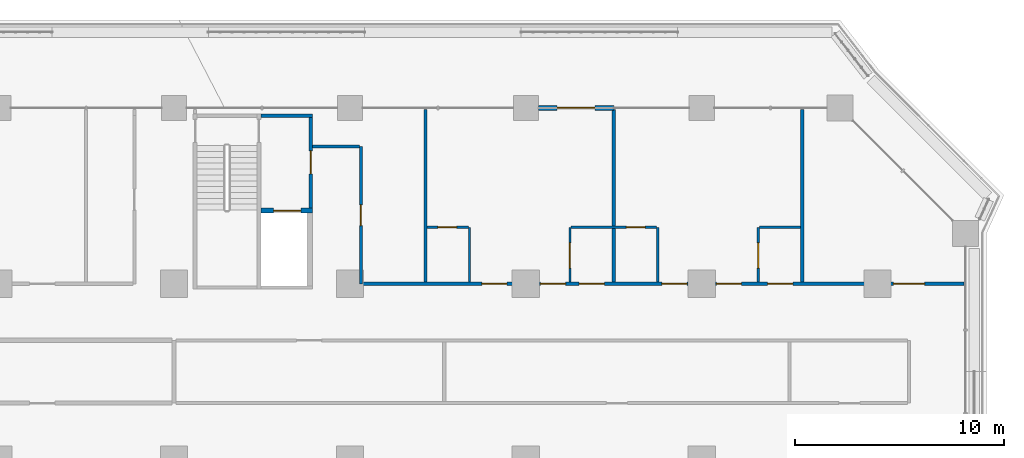
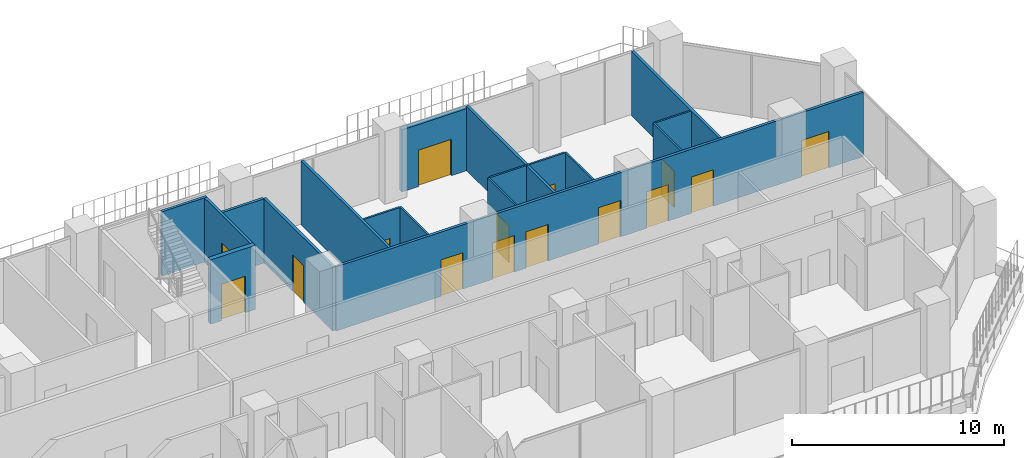
# One storey, part 19 of 28: 17 walls, 15 doors, 15 openings.
"""IFC4 building model written with IfcOpenShell, lengths in metres."""

from ifc_helpers import new_model, si_unit, direction, frame, frame_2d, origin, place, context, subcontext, project, spatial, rectangle, extrude, material, layer, layer_set, type_object, element, fill, save


model = new_model("IFC4")

# Units and contexts
model_context = context("Model", 3, precision=1e-05, world=origin(), true_north=direction((0.0, 1.0)))
body_context = subcontext(model_context, "Body", "Model", "MODEL_VIEW")
ifc_project = project(units=[si_unit("LENGTHUNIT", "METRE"), si_unit("AREAUNIT", "SQUARE_METRE"), si_unit("VOLUMEUNIT", "CUBIC_METRE"), si_unit("PLANEANGLEUNIT", "RADIAN"), si_unit("MASSUNIT", "GRAM", prefix="KILO")], contexts=[model_context])

# Site, building, storey
site_placement = place(None, origin())
site = spatial("IfcSite", under=ifc_project, at=site_placement, CompositionType="ELEMENT")
building_placement = place(site_placement, origin())
building = spatial("IfcBuilding", under=site, at=building_placement, Name="Kawkab Arch Medical Tower", CompositionType="ELEMENT")
storey_placement = place(building_placement, frame((0.0, 0.0, 89.60009765625)))
storey = spatial("IfcBuildingStorey", under=building, at=storey_placement, Name="L20", CompositionType="ELEMENT", Elevation=89.60009765625)

# Wall, opening, door
ifc_material_1 = material(Name="Gypsum board on steel studs", Category="steel")
ifc_layer_1 = layer(ifc_material_1, 0.14990234375)
ifc_layer_set_1 = layer_set([ifc_layer_1], Name="Gypsum board on steel studs")
wall_type_1 = type_object("IfcWallType", Name="Core room partition 150", PredefinedType="PARTITIONING", material=ifc_layer_set_1)
wall_1_placement = place(storey_placement, frame((48.52490234375, -4.77490234375, 0.0), z_axis=(0.0, 0.0, 1.0), x_axis=(0.0, 1.0, 0.0)))
wall_1 = element("IfcWall", 1, at=wall_1_placement, inside=storey, type_object=wall_type_1, Name="L20 core room partition", PredefinedType="PARTITIONING", context=body_context, shape_type="SweptSolid", body=[
    extrude(rectangle(XDim=4.324951171875, YDim=0.14990234375, at=frame_2d((2.16259765625, 0.0))), origin(), (0.0, 0.0, 1.0), 3.699951171875),
])
opening_1_placement = place(wall_1_placement, frame((1.625, 0.0, 0.0)))
opening_1 = element("IfcOpeningElement", 2, at=opening_1_placement, cuts=wall_1, Name="Opening FD", PredefinedType="OPENING", context=body_context, shape_type="SweptSolid", body=[
    extrude(rectangle(XDim=1.10009765625, YDim=2.10009765625, at=frame_2d((0.550048828125, 1.050048828125))), frame((0.0, 0.0849609375, 0.0), z_axis=(0.0, -1.0, 0.0), x_axis=(1.0, 0.0, 0.0)), (0.0, 0.0, 1.0), 0.169921875),
])
ifc_material_2 = material(Name="Hollow metal fire door leaf")
door_type_1 = type_object("IfcDoorType", Name="Firefighting lobby door 1100", OperationType="SINGLE_SWING_LEFT", PredefinedType="DOOR", material=ifc_material_2)
door_1_placement = place(opening_1_placement, origin())
door_1 = element("IfcDoor", 3, at=door_1_placement, inside=storey, type_object=door_type_1, Name="L20 Service lift lobby door SV1", OperationType="SINGLE_SWING_LEFT", OverallHeight=2.10009765625, OverallWidth=1.10009765625, PredefinedType="DOOR", context=body_context, shape_type="SweptSolid", body=[
    extrude(rectangle(XDim=1.10009765625, YDim=2.10009765625, at=frame_2d((0.550048828125, 1.050048828125))), frame((0.0, 0.02490234375, 0.0), z_axis=(0.0, -1.0, 0.0), x_axis=(1.0, 0.0, 0.0)), (0.0, 0.0, 1.0), 0.050048828125),
])
fill(opening_1, door_1)

ifc_material_3 = material(Name="Concrete C60/75", Category="concrete")
ifc_layer_2 = layer(ifc_material_3, 0.25)
ifc_layer_set_2 = layer_set([ifc_layer_2], Name="Concrete C60/75")
wall_type_2 = type_object("IfcWallType", Name="Core shear wall 250 C60/75", PredefinedType="SHEAR", material=ifc_layer_set_2)
wall_2_placement = place(storey_placement, frame((46.14990234375, -4.89990234375, 0.0), z_axis=(0.0, 0.0, 1.0), x_axis=(1.0, 0.0, 0.0)))
wall_2 = element("IfcWall", 4, at=wall_2_placement, inside=storey, type_object=wall_type_2, Name="L20 core shear wall", PredefinedType="SHEAR", context=body_context, shape_type="SweptSolid", body=[
    extrude(rectangle(XDim=2.4501953125, YDim=0.25, at=frame_2d((1.22509765625, 0.0))), origin(), (0.0, 0.0, 1.0), 3.699951171875),
])
opening_2_placement = place(wall_2_placement, frame((0.60009765625, 0.0, 0.0)))
opening_2 = element("IfcOpeningElement", 5, at=opening_2_placement, cuts=wall_2, Name="Opening LD2", PredefinedType="OPENING", context=body_context, shape_type="SweptSolid", body=[
    extrude(rectangle(XDim=1.300048828125, YDim=2.10009765625, at=frame_2d((0.64990234375, 1.050048828125))), frame((0.0, 0.135009765625, 0.0), z_axis=(0.0, -1.0, 0.0), x_axis=(1.0, 0.0, 0.0)), (0.0, 0.0, 1.0), 0.27001953125),
])
ifc_material_4 = material(Name="Stainless steel lift door leaf", Category="steel")
door_type_2 = type_object("IfcDoorType", Name="Lift landing door 1300", OperationType="DOUBLE_DOOR_SLIDING", PredefinedType="DOOR", material=ifc_material_4)
door_2_placement = place(opening_2_placement, origin())
door_2 = element("IfcDoor", 6, at=door_2_placement, inside=storey, type_object=door_type_2, Name="L20 Lift landing door SV1", OperationType="DOUBLE_DOOR_SLIDING", OverallHeight=2.10009765625, OverallWidth=1.300048828125, PredefinedType="DOOR", context=body_context, shape_type="SweptSolid", body=[
    extrude(rectangle(XDim=1.300048828125, YDim=2.10009765625, at=frame_2d((0.64990234375, 1.050048828125))), frame((0.0, 0.02490234375, 0.0), z_axis=(0.0, -1.0, 0.0), x_axis=(1.0, 0.0, 0.0)), (0.0, 0.0, 1.0), 0.050048828125),
])
fill(opening_2, door_2)

ifc_material_5 = material(Name="Bronze clad insulated wall panel")
ifc_layer_3 = layer(ifc_material_5, 0.25)
ifc_layer_set_3 = layer_set([ifc_layer_3], Name="Bronze clad insulated wall panel")
wall_type_3 = type_object("IfcWallType", Name="External wall bay 250", PredefinedType="SOLIDWALL", material=ifc_layer_set_3)
wall_3_placement = place(storey_placement, frame((63.0, 0.0, 0.0), z_axis=(0.0, 0.0, 1.0), x_axis=(-1.0, 0.0, 0.0)))
wall_3 = element("IfcWall", 7, at=wall_3_placement, inside=storey, type_object=wall_type_3, Name="External wall bay L20.R11.2.2", PredefinedType="SOLIDWALL", context=body_context, shape_type="SweptSolid", body=[
    extrude(rectangle(XDim=3.60009765625, YDim=0.25, at=frame_2d((1.800048828125, 0.0))), origin(), (0.0, 0.0, 1.0), 3.579833984375),
])
opening_3_placement = place(wall_3_placement, frame((0.89990234375, 0.0, 0.0)))
opening_3 = element("IfcOpeningElement", 8, at=opening_3_placement, cuts=wall_3, Name="Opening W13B-702", PredefinedType="OPENING", context=body_context, shape_type="SweptSolid", body=[
    extrude(rectangle(XDim=1.800048828125, YDim=2.10009765625, at=frame_2d((0.89990234375, 1.050048828125))), frame((0.0, 0.135009765625, 0.0), z_axis=(0.0, -1.0, 0.0), x_axis=(1.0, 0.0, 0.0)), (0.0, 0.0, 1.0), 0.27001953125),
])
ifc_material_6 = material(Name="Bronze anodised aluminium door with tinted glass", Category="aluminium")
door_type_3 = type_object("IfcDoorType", Name="Double external door 1800 x 2100", OperationType="DOUBLE_DOOR_SINGLE_SWING", PredefinedType="DOOR", material=ifc_material_6)
door_3_placement = place(opening_3_placement, origin())
door_3 = element("IfcDoor", 9, at=door_3_placement, inside=storey, type_object=door_type_3, Name="External door L20.R11.2.2", OperationType="DOUBLE_DOOR_SINGLE_SWING", OverallHeight=2.10009765625, OverallWidth=1.800048828125, PredefinedType="DOOR", context=body_context, shape_type="SweptSolid", body=[
    extrude(rectangle(XDim=1.800048828125, YDim=2.10009765625, at=frame_2d((0.89990234375, 1.050048828125))), frame((0.0, 0.02490234375, 0.0), z_axis=(0.0, -1.0, 0.0), x_axis=(1.0, 0.0, 0.0)), (0.0, 0.0, 1.0), 0.050048828125),
])
fill(opening_3, door_3)

ifc_material_7 = material(Name="Gypsum board partition on steel studs", Category="steel")
ifc_layer_4 = layer(ifc_material_7, 0.10009765625)
ifc_layer_set_4 = layer_set([ifc_layer_4], Name="Gypsum board partition on steel studs")
wall_type_4 = type_object("IfcWallType", Name="Partition 100", PredefinedType="PARTITIONING", material=ifc_layer_set_4)
wall_4_placement = place(storey_placement, frame((54.074951171875, -5.699951171875, 0.0), z_axis=(0.0, 0.0, 1.0), x_axis=(1.0, 0.0, 0.0)))
wall_4 = element("IfcWall", 10, at=wall_4_placement, inside=storey, type_object=wall_type_4, Name="Partition 100 w018", PredefinedType="PARTITIONING", context=body_context, shape_type="SweptSolid", body=[
    extrude(rectangle(XDim=1.97509765625, YDim=0.10009765625, at=frame_2d((0.987548828125, 0.0))), origin(), (0.0, 0.0, 1.0), 3.699951171875),
])
opening_4_placement = place(wall_4_placement, frame((0.52490234375, 0.0, 0.0)))
opening_4 = element("IfcOpeningElement", 11, at=opening_4_placement, cuts=wall_4, Name="Opening W13B-002", PredefinedType="OPENING", context=body_context, shape_type="SweptSolid", body=[
    extrude(rectangle(XDim=0.89990234375, YDim=2.10009765625, at=frame_2d((0.449951171875, 1.050048828125))), frame((0.0, 0.06005859375, 0.0), z_axis=(0.0, -1.0, 0.0), x_axis=(1.0, 0.0, 0.0)), (0.0, 0.0, 1.0), 0.1201171875),
])
ifc_material_8 = material(Name="Timber door leaf", Category="wood")
door_type_4 = type_object("IfcDoorType", Name="Single door 900x2100", OperationType="NOTDEFINED", PredefinedType="DOOR", material=ifc_material_8)
door_4_placement = place(opening_4_placement, origin())
door_4 = element("IfcDoor", 12, at=door_4_placement, inside=storey, type_object=door_type_4, Name="Door W13B-002", OperationType="SINGLE_SWING_RIGHT", OverallHeight=2.10009765625, OverallWidth=0.89990234375, PredefinedType="DOOR", context=body_context, shape_type="SweptSolid", body=[
    extrude(rectangle(XDim=0.89990234375, YDim=2.10009765625, at=frame_2d((0.449951171875, 1.050048828125))), frame((0.0, 0.02490234375, 0.0), z_axis=(0.0, -1.0, 0.0), x_axis=(1.0, 0.0, 0.0)), (0.0, 0.0, 1.0), 0.050048828125),
])
fill(opening_4, door_4)

wall_5_placement = place(storey_placement, frame((60.949951171875, -5.699951171875, 0.0), z_axis=(0.0, 0.0, 1.0), x_axis=(1.0, 0.0, 0.0)))
wall_5 = element("IfcWall", 13, at=wall_5_placement, inside=storey, type_object=wall_type_4, Name="Partition 100 w019", PredefinedType="PARTITIONING", context=body_context, shape_type="SweptSolid", body=[
    extrude(rectangle(XDim=4.10009765625, YDim=0.10009765625, at=frame_2d((2.050048828125, 0.0))), origin(), (0.0, 0.0, 1.0), 3.699951171875),
])
opening_5_placement = place(wall_5_placement, frame((2.64990234375, 0.0, 0.0)))
opening_5 = element("IfcOpeningElement", 14, at=opening_5_placement, cuts=wall_5, Name="Opening W13B-003", PredefinedType="OPENING", context=body_context, shape_type="SweptSolid", body=[
    extrude(rectangle(XDim=0.89990234375, YDim=2.10009765625, at=frame_2d((0.449951171875, 1.050048828125))), frame((0.0, 0.06005859375, 0.0), z_axis=(0.0, -1.0, 0.0), x_axis=(1.0, 0.0, 0.0)), (0.0, 0.0, 1.0), 0.1201171875),
])
door_5_placement = place(opening_5_placement, origin())
door_5 = element("IfcDoor", 15, at=door_5_placement, inside=storey, type_object=door_type_4, Name="Door W13B-003", OperationType="SINGLE_SWING_RIGHT", OverallHeight=2.10009765625, OverallWidth=0.89990234375, PredefinedType="DOOR", context=body_context, shape_type="SweptSolid", body=[
    extrude(rectangle(XDim=0.89990234375, YDim=2.10009765625, at=frame_2d((0.449951171875, 1.050048828125))), frame((0.0, 0.02490234375, 0.0), z_axis=(0.0, -1.0, 0.0), x_axis=(1.0, 0.0, 0.0)), (0.0, 0.0, 1.0), 0.050048828125),
])
fill(opening_5, door_5)

# Walls
wall_6_placement = place(storey_placement, frame((69.949951171875, -5.699951171875, 0.0), z_axis=(0.0, 0.0, 1.0), x_axis=(1.0, 0.0, 0.0)))
element("IfcWall", 16, at=wall_6_placement, inside=storey, type_object=wall_type_4, Name="Partition 100 w020", PredefinedType="PARTITIONING", context=body_context, shape_type="SweptSolid", body=[
    extrude(rectangle(XDim=1.97509765625, YDim=0.10009765625, at=frame_2d((0.987548828125, 0.0))), origin(), (0.0, 0.0, 1.0), 3.699951171875),
])
wall_7_placement = place(storey_placement, frame((56.10009765625, -8.324951171875, 0.0), z_axis=(0.0, 0.0, 1.0), x_axis=(0.0, 1.0, 0.0)))
element("IfcWall", 17, at=wall_7_placement, inside=storey, type_object=wall_type_4, Name="Partition 100 w034", PredefinedType="PARTITIONING", context=body_context, shape_type="SweptSolid", body=[
    extrude(rectangle(XDim=2.625, YDim=0.10009765625, at=frame_2d((1.3125, 0.0))), origin(), (0.0, 0.0, 1.0), 3.699951171875),
])

# Wall, opening, door
wall_8_placement = place(storey_placement, frame((60.89990234375, -8.324951171875, 0.0), z_axis=(0.0, 0.0, 1.0), x_axis=(0.0, 1.0, 0.0)))
wall_8 = element("IfcWall", 18, at=wall_8_placement, inside=storey, type_object=wall_type_4, Name="Partition 100 w037", PredefinedType="PARTITIONING", context=body_context, shape_type="SweptSolid", body=[
    extrude(rectangle(XDim=2.625, YDim=0.10009765625, at=frame_2d((1.3125, 0.0))), origin(), (0.0, 0.0, 1.0), 3.699951171875),
])
opening_6_placement = place(wall_8_placement, frame((0.675048828125, 0.0, 0.0)))
opening_6 = element("IfcOpeningElement", 19, at=opening_6_placement, cuts=wall_8, Name="Opening W13B-040", PredefinedType="OPENING", context=body_context, shape_type="SweptSolid", body=[
    extrude(rectangle(XDim=1.199951171875, YDim=2.10009765625, at=frame_2d((0.60009765625, 1.050048828125))), frame((0.0, 0.06005859375, 0.0), z_axis=(0.0, -1.0, 0.0), x_axis=(1.0, 0.0, 0.0)), (0.0, 0.0, 1.0), 0.1201171875),
])
ifc_material_9 = material(Name="Timber door leaf", Category="wood")
door_type_5 = type_object("IfcDoorType", Name="Single door 1200x2100", OperationType="NOTDEFINED", PredefinedType="DOOR", material=ifc_material_9)
door_6_placement = place(opening_6_placement, origin())
door_6 = element("IfcDoor", 20, at=door_6_placement, inside=storey, type_object=door_type_5, Name="Door W13B-040", OperationType="SINGLE_SWING_LEFT", OverallHeight=2.10009765625, OverallWidth=1.199951171875, PredefinedType="DOOR", context=body_context, shape_type="SweptSolid", body=[
    extrude(rectangle(XDim=1.199951171875, YDim=2.10009765625, at=frame_2d((0.60009765625, 1.050048828125))), frame((0.0, 0.02490234375, 0.0), z_axis=(0.0, -1.0, 0.0), x_axis=(1.0, 0.0, 0.0)), (0.0, 0.0, 1.0), 0.050048828125),
])
fill(opening_6, door_6)

# Wall
wall_9_placement = place(storey_placement, frame((65.10009765625, -8.324951171875, 0.0), z_axis=(0.0, 0.0, 1.0), x_axis=(0.0, 1.0, 0.0)))
element("IfcWall", 21, at=wall_9_placement, inside=storey, type_object=wall_type_4, Name="Partition 100 w039", PredefinedType="PARTITIONING", context=body_context, shape_type="SweptSolid", body=[
    extrude(rectangle(XDim=2.625, YDim=0.10009765625, at=frame_2d((1.3125, 0.0))), origin(), (0.0, 0.0, 1.0), 3.699951171875),
])

# Wall, opening, door
wall_10_placement = place(storey_placement, frame((69.89990234375, -8.324951171875, 0.0), z_axis=(0.0, 0.0, 1.0), x_axis=(0.0, 1.0, 0.0)))
wall_10 = element("IfcWall", 22, at=wall_10_placement, inside=storey, type_object=wall_type_4, Name="Partition 100 w041", PredefinedType="PARTITIONING", context=body_context, shape_type="SweptSolid", body=[
    extrude(rectangle(XDim=2.625, YDim=0.10009765625, at=frame_2d((1.3125, 0.0))), origin(), (0.0, 0.0, 1.0), 3.699951171875),
])
opening_7_placement = place(wall_10_placement, frame((0.675048828125, 0.0, 0.0)))
opening_7 = element("IfcOpeningElement", 23, at=opening_7_placement, cuts=wall_10, Name="Opening W13B-044", PredefinedType="OPENING", context=body_context, shape_type="SweptSolid", body=[
    extrude(rectangle(XDim=1.199951171875, YDim=2.10009765625, at=frame_2d((0.60009765625, 1.050048828125))), frame((0.0, 0.06005859375, 0.0), z_axis=(0.0, -1.0, 0.0), x_axis=(1.0, 0.0, 0.0)), (0.0, 0.0, 1.0), 0.1201171875),
])
door_7_placement = place(opening_7_placement, origin())
door_7 = element("IfcDoor", 24, at=door_7_placement, inside=storey, type_object=door_type_5, Name="Door W13B-044", OperationType="SINGLE_SWING_RIGHT", OverallHeight=2.10009765625, OverallWidth=1.199951171875, PredefinedType="DOOR", context=body_context, shape_type="SweptSolid", body=[
    extrude(rectangle(XDim=1.199951171875, YDim=2.10009765625, at=frame_2d((0.60009765625, 1.050048828125))), frame((0.0, 0.02490234375, 0.0), z_axis=(0.0, -1.0, 0.0), x_axis=(1.0, 0.0, 0.0)), (0.0, 0.0, 1.0), 0.050048828125),
])
fill(opening_7, door_7)

# Wall, openings, doors
ifc_material_10 = material(Name="Gypsum board partition on steel studs, mineral wool", Category="steel")
ifc_layer_5 = layer(ifc_material_10, 0.14990234375)
ifc_layer_set_5 = layer_set([ifc_layer_5], Name="Gypsum board partition on steel studs, mineral wool")
wall_type_5 = type_object("IfcWallType", Name="Partition 150", PredefinedType="PARTITIONING", material=ifc_layer_set_5)
wall_11_placement = place(storey_placement, frame((51.0, -8.39990234375, 0.0), z_axis=(0.0, 0.0, 1.0), x_axis=(1.0, 0.0, 0.0)))
wall_11 = element("IfcWall", 25, at=wall_11_placement, inside=storey, type_object=wall_type_5, Name="Partition 150 w078", PredefinedType="PARTITIONING", context=body_context, shape_type="SweptSolid", body=[
    extrude(rectangle(XDim=28.719970703125, YDim=0.14990234375, at=frame_2d((14.35986328125, 0.0))), origin(), (0.0, 0.0, 1.0), 3.699951171875),
])
opening_8_placement = place(wall_11_placement, frame((5.699951171875, 0.0, 0.0)))
opening_8 = element("IfcOpeningElement", 26, at=opening_8_placement, cuts=wall_11, Name="Opening W13B-037", PredefinedType="OPENING", context=body_context, shape_type="SweptSolid", body=[
    extrude(rectangle(XDim=1.199951171875, YDim=2.10009765625, at=frame_2d((0.60009765625, 1.050048828125))), frame((0.0, 0.0849609375, 0.0), z_axis=(0.0, -1.0, 0.0), x_axis=(1.0, 0.0, 0.0)), (0.0, 0.0, 1.0), 0.169921875),
])
opening_9_placement = place(wall_11_placement, frame((8.5, 0.0, 0.0)))
opening_9 = element("IfcOpeningElement", 27, at=opening_9_placement, cuts=wall_11, Name="Opening W13B-038", PredefinedType="OPENING", context=body_context, shape_type="SweptSolid", body=[
    extrude(rectangle(XDim=1.199951171875, YDim=2.10009765625, at=frame_2d((0.60009765625, 1.050048828125))), frame((0.0, 0.0849609375, 0.0), z_axis=(0.0, -1.0, 0.0), x_axis=(1.0, 0.0, 0.0)), (0.0, 0.0, 1.0), 0.169921875),
])
opening_10_placement = place(wall_11_placement, frame((10.35009765625, 0.0, 0.0)))
opening_10 = element("IfcOpeningElement", 28, at=opening_10_placement, cuts=wall_11, Name="Opening W13B-039", PredefinedType="OPENING", context=body_context, shape_type="SweptSolid", body=[
    extrude(rectangle(XDim=1.199951171875, YDim=2.10009765625, at=frame_2d((0.60009765625, 1.050048828125))), frame((0.0, 0.0849609375, 0.0), z_axis=(0.0, -1.0, 0.0), x_axis=(1.0, 0.0, 0.0)), (0.0, 0.0, 1.0), 0.169921875),
])
opening_11_placement = place(wall_11_placement, frame((14.300048828125, 0.0, 0.0)))
opening_11 = element("IfcOpeningElement", 29, at=opening_11_placement, cuts=wall_11, Name="Opening W13B-041", PredefinedType="OPENING", context=body_context, shape_type="SweptSolid", body=[
    extrude(rectangle(XDim=1.199951171875, YDim=2.10009765625, at=frame_2d((0.60009765625, 1.050048828125))), frame((0.0, 0.0849609375, 0.0), z_axis=(0.0, -1.0, 0.0), x_axis=(1.0, 0.0, 0.0)), (0.0, 0.0, 1.0), 0.169921875),
])
opening_12_placement = place(wall_11_placement, frame((16.89990234375, 0.0, 0.0)))
opening_12 = element("IfcOpeningElement", 30, at=opening_12_placement, cuts=wall_11, Name="Opening W13B-042", PredefinedType="OPENING", context=body_context, shape_type="SweptSolid", body=[
    extrude(rectangle(XDim=1.199951171875, YDim=2.10009765625, at=frame_2d((0.60009765625, 1.050048828125))), frame((0.0, 0.0849609375, 0.0), z_axis=(0.0, -1.0, 0.0), x_axis=(1.0, 0.0, 0.0)), (0.0, 0.0, 1.0), 0.169921875),
])
opening_13_placement = place(wall_11_placement, frame((19.35009765625, 0.0, 0.0)))
opening_13 = element("IfcOpeningElement", 31, at=opening_13_placement, cuts=wall_11, Name="Opening W13B-043", PredefinedType="OPENING", context=body_context, shape_type="SweptSolid", body=[
    extrude(rectangle(XDim=1.199951171875, YDim=2.10009765625, at=frame_2d((0.60009765625, 1.050048828125))), frame((0.0, 0.0849609375, 0.0), z_axis=(0.0, -1.0, 0.0), x_axis=(1.0, 0.0, 0.0)), (0.0, 0.0, 1.0), 0.169921875),
])
opening_14_placement = place(wall_11_placement, frame((25.35009765625, 0.0, 0.0)))
opening_14 = element("IfcOpeningElement", 32, at=opening_14_placement, cuts=wall_11, Name="Opening W13B-001", PredefinedType="OPENING", context=body_context, shape_type="SweptSolid", body=[
    extrude(rectangle(XDim=1.5, YDim=2.10009765625, at=frame_2d((0.75, 1.050048828125))), frame((0.0, 0.0849609375, 0.0), z_axis=(0.0, -1.0, 0.0), x_axis=(1.0, 0.0, 0.0)), (0.0, 0.0, 1.0), 0.169921875),
])
ifc_material_11 = material(Name="Hollow metal door leaf")
door_type_6 = type_object("IfcDoorType", Name="Double door 1500x2100 FD30S", OperationType="NOTDEFINED", PredefinedType="DOOR", material=ifc_material_11)
door_8_placement = place(opening_14_placement, origin())
door_8 = element("IfcDoor", 33, at=door_8_placement, inside=storey, type_object=door_type_6, Name="Door W13B-001", OperationType="DOUBLE_DOOR_SINGLE_SWING", OverallHeight=2.10009765625, OverallWidth=1.5, PredefinedType="DOOR", context=body_context, shape_type="SweptSolid", body=[
    extrude(rectangle(XDim=1.5, YDim=2.10009765625, at=frame_2d((0.75, 1.050048828125))), frame((0.0, 0.02490234375, 0.0), z_axis=(0.0, -1.0, 0.0), x_axis=(1.0, 0.0, 0.0)), (0.0, 0.0, 1.0), 0.050048828125),
])
fill(opening_14, door_8)
ifc_material_12 = material(Name="Hollow metal door leaf")
door_type_7 = type_object("IfcDoorType", Name="Single door 1200x2100 FD30S", OperationType="NOTDEFINED", PredefinedType="DOOR", material=ifc_material_12)
door_9_placement = place(opening_8_placement, origin())
door_9 = element("IfcDoor", 34, at=door_9_placement, inside=storey, type_object=door_type_7, Name="Door W13B-037", OperationType="SINGLE_SWING_LEFT", OverallHeight=2.10009765625, OverallWidth=1.199951171875, PredefinedType="DOOR", context=body_context, shape_type="SweptSolid", body=[
    extrude(rectangle(XDim=1.199951171875, YDim=2.10009765625, at=frame_2d((0.60009765625, 1.050048828125))), frame((0.0, 0.02490234375, 0.0), z_axis=(0.0, -1.0, 0.0), x_axis=(1.0, 0.0, 0.0)), (0.0, 0.0, 1.0), 0.050048828125),
])
fill(opening_8, door_9)
door_10_placement = place(opening_9_placement, origin())
door_10 = element("IfcDoor", 35, at=door_10_placement, inside=storey, type_object=door_type_7, Name="Door W13B-038", OperationType="SINGLE_SWING_LEFT", OverallHeight=2.10009765625, OverallWidth=1.199951171875, PredefinedType="DOOR", context=body_context, shape_type="SweptSolid", body=[
    extrude(rectangle(XDim=1.199951171875, YDim=2.10009765625, at=frame_2d((0.60009765625, 1.050048828125))), frame((0.0, 0.02490234375, 0.0), z_axis=(0.0, -1.0, 0.0), x_axis=(1.0, 0.0, 0.0)), (0.0, 0.0, 1.0), 0.050048828125),
])
fill(opening_9, door_10)
door_11_placement = place(opening_10_placement, origin())
door_11 = element("IfcDoor", 36, at=door_11_placement, inside=storey, type_object=door_type_7, Name="Door W13B-039", OperationType="SINGLE_SWING_LEFT", OverallHeight=2.10009765625, OverallWidth=1.199951171875, PredefinedType="DOOR", context=body_context, shape_type="SweptSolid", body=[
    extrude(rectangle(XDim=1.199951171875, YDim=2.10009765625, at=frame_2d((0.60009765625, 1.050048828125))), frame((0.0, 0.02490234375, 0.0), z_axis=(0.0, -1.0, 0.0), x_axis=(1.0, 0.0, 0.0)), (0.0, 0.0, 1.0), 0.050048828125),
])
fill(opening_10, door_11)
door_12_placement = place(opening_11_placement, origin())
door_12 = element("IfcDoor", 37, at=door_12_placement, inside=storey, type_object=door_type_7, Name="Door W13B-041", OperationType="SINGLE_SWING_RIGHT", OverallHeight=2.10009765625, OverallWidth=1.199951171875, PredefinedType="DOOR", context=body_context, shape_type="SweptSolid", body=[
    extrude(rectangle(XDim=1.199951171875, YDim=2.10009765625, at=frame_2d((0.60009765625, 1.050048828125))), frame((0.0, 0.02490234375, 0.0), z_axis=(0.0, -1.0, 0.0), x_axis=(1.0, 0.0, 0.0)), (0.0, 0.0, 1.0), 0.050048828125),
])
fill(opening_11, door_12)
door_13_placement = place(opening_12_placement, origin())
door_13 = element("IfcDoor", 38, at=door_13_placement, inside=storey, type_object=door_type_7, Name="Door W13B-042", OperationType="SINGLE_SWING_RIGHT", OverallHeight=2.10009765625, OverallWidth=1.199951171875, PredefinedType="DOOR", context=body_context, shape_type="SweptSolid", body=[
    extrude(rectangle(XDim=1.199951171875, YDim=2.10009765625, at=frame_2d((0.60009765625, 1.050048828125))), frame((0.0, 0.02490234375, 0.0), z_axis=(0.0, -1.0, 0.0), x_axis=(1.0, 0.0, 0.0)), (0.0, 0.0, 1.0), 0.050048828125),
])
fill(opening_12, door_13)
door_14_placement = place(opening_13_placement, origin())
door_14 = element("IfcDoor", 39, at=door_14_placement, inside=storey, type_object=door_type_7, Name="Door W13B-043", OperationType="SINGLE_SWING_RIGHT", OverallHeight=2.10009765625, OverallWidth=1.199951171875, PredefinedType="DOOR", context=body_context, shape_type="SweptSolid", body=[
    extrude(rectangle(XDim=1.199951171875, YDim=2.10009765625, at=frame_2d((0.60009765625, 1.050048828125))), frame((0.0, 0.02490234375, 0.0), z_axis=(0.0, -1.0, 0.0), x_axis=(1.0, 0.0, 0.0)), (0.0, 0.0, 1.0), 0.050048828125),
])
fill(opening_13, door_14)

# Wall
wall_12_placement = place(storey_placement, frame((48.60009765625, -1.85009765625, 0.0), z_axis=(0.0, 0.0, 1.0), x_axis=(1.0, 0.0, 0.0)))
element("IfcWall", 40, at=wall_12_placement, inside=storey, type_object=wall_type_5, Name="Partition 150 w079", PredefinedType="PARTITIONING", context=body_context, shape_type="SweptSolid", body=[
    extrude(rectangle(XDim=2.247802734375, YDim=0.14990234375, at=frame_2d((1.1240234375, 0.0))), origin(), (0.0, 0.0, 1.0), 3.699951171875),
])

# Wall, opening, door
wall_13_placement = place(storey_placement, frame((50.925048828125, -8.39990234375, 0.0), z_axis=(0.0, 0.0, 1.0), x_axis=(0.0, 1.0, 0.0)))
wall_13 = element("IfcWall", 41, at=wall_13_placement, inside=storey, type_object=wall_type_5, Name="Partition 150 w106", PredefinedType="PARTITIONING", context=body_context, shape_type="SweptSolid", body=[
    extrude(rectangle(XDim=6.5478515625, YDim=0.14990234375, at=frame_2d((3.27392578125, 0.0))), origin(), (0.0, 0.0, 1.0), 3.699951171875),
])
opening_15_placement = place(wall_13_placement, frame((2.77392578125, 0.0, 0.0)))
opening_15 = element("IfcOpeningElement", 42, at=opening_15_placement, cuts=wall_13, Name="Opening W13B-023", PredefinedType="OPENING", context=body_context, shape_type="SweptSolid", body=[
    extrude(rectangle(XDim=1.0, YDim=2.10009765625, at=frame_2d((0.5, 1.050048828125))), frame((0.0, 0.0849609375, 0.0), z_axis=(0.0, -1.0, 0.0), x_axis=(1.0, 0.0, 0.0)), (0.0, 0.0, 1.0), 0.169921875),
])
ifc_material_13 = material(Name="Hollow metal door leaf")
door_type_8 = type_object("IfcDoorType", Name="Single door 1000x2100 FD30S", OperationType="NOTDEFINED", PredefinedType="DOOR", material=ifc_material_13)
door_15_placement = place(opening_15_placement, origin())
door_15 = element("IfcDoor", 43, at=door_15_placement, inside=storey, type_object=door_type_8, Name="Door W13B-023", OperationType="SINGLE_SWING_RIGHT", OverallHeight=2.10009765625, OverallWidth=1.0, PredefinedType="DOOR", context=body_context, shape_type="SweptSolid", body=[
    extrude(rectangle(XDim=1.0, YDim=2.10009765625, at=frame_2d((0.5, 1.050048828125))), frame((0.0, 0.02490234375, 0.0), z_axis=(0.0, -1.0, 0.0), x_axis=(1.0, 0.0, 0.0)), (0.0, 0.0, 1.0), 0.050048828125),
])
fill(opening_15, door_15)

# Walls
for number, where, z_axis, x_axis, name in (
    (44, (54.0, -8.324951171875, 0.0), (0.0, 0.0, 1.0), (0.0, 1.0, 0.0), "Partition 150 w108"),
    (45, (63.0, -8.324951171875, 0.0), (0.0, 0.0, 1.0), (0.0, 1.0, 0.0), "Partition 150 w112"),
    (46, (72.0, -8.324951171875, 0.0), (0.0, 0.0, 1.0), (0.0, 1.0, 0.0), "Partition 150 w116"),
):
    element("IfcWall", number, at=place(storey_placement, frame(where, z_axis=z_axis, x_axis=x_axis)), inside=storey, type_object=wall_type_5, Name=name, PredefinedType="PARTITIONING", context=body_context, shape_type="SweptSolid", body=[
        extrude(rectangle(XDim=8.244873046875, YDim=0.14990234375, at=frame_2d((4.12255859375, 0.0))), origin(), (0.0, 0.0, 1.0), 3.699951171875),
    ])
ifc_material_14 = material(Name="Concrete C50/60", Category="concrete")
ifc_layer_6 = layer(ifc_material_14, 0.14990234375)
ifc_layer_set_6 = layer_set([ifc_layer_6], Name="Concrete C50/60")
wall_type_6 = type_object("IfcWallType", Name="Stair enclosure wall 150 C50/60", PredefinedType="SHEAR", material=ifc_layer_set_6)
wall_14_placement = place(storey_placement, frame((46.14990234375, -0.375, 0.0), z_axis=(0.0, 0.0, 1.0), x_axis=(1.0, 0.0, 0.0)))
element("IfcWall", 47, at=wall_14_placement, inside=storey, type_object=wall_type_6, Name="L20 stair enclosure wall", PredefinedType="SHEAR", context=body_context, shape_type="SweptSolid", body=[
    extrude(rectangle(XDim=2.4501953125, YDim=0.14990234375, at=frame_2d((1.22509765625, 0.0))), origin(), (0.0, 0.0, 1.0), 3.699951171875),
])

save(model, "model.ifc")
